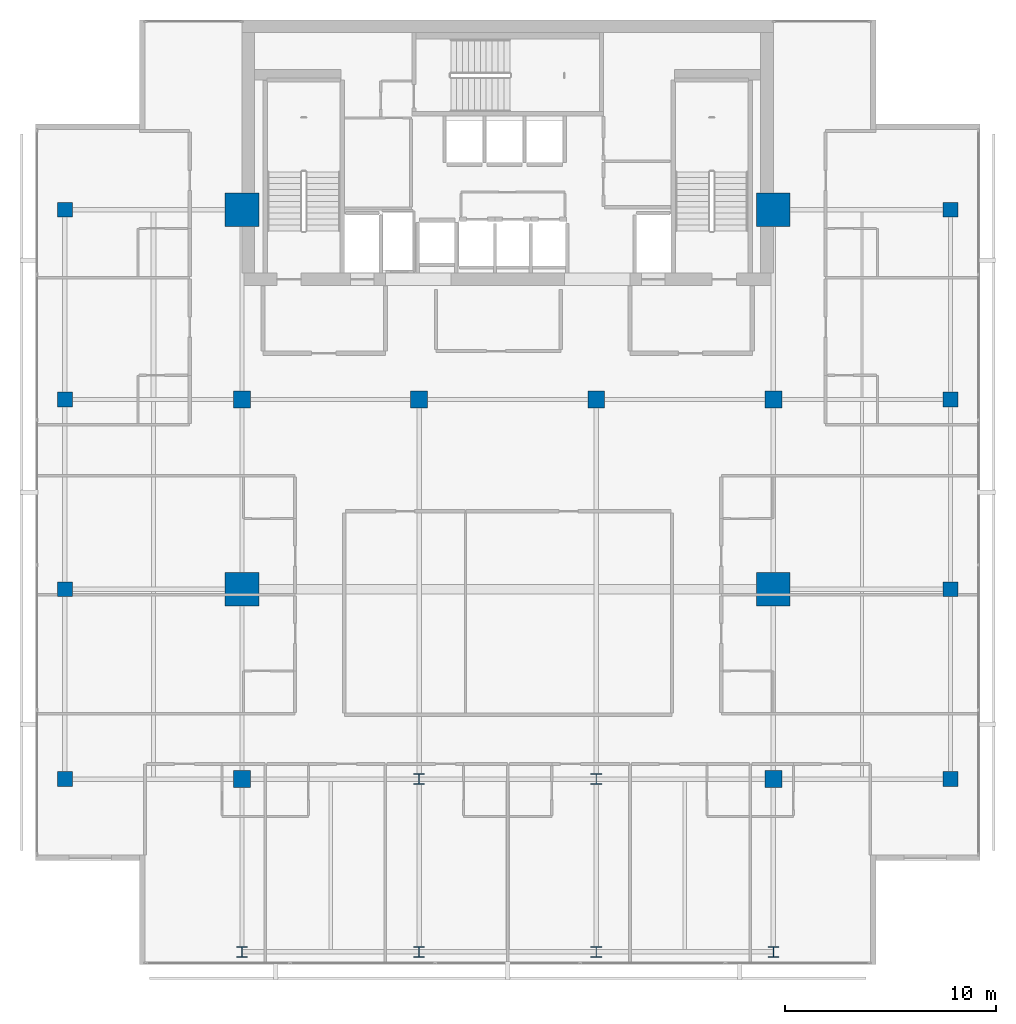
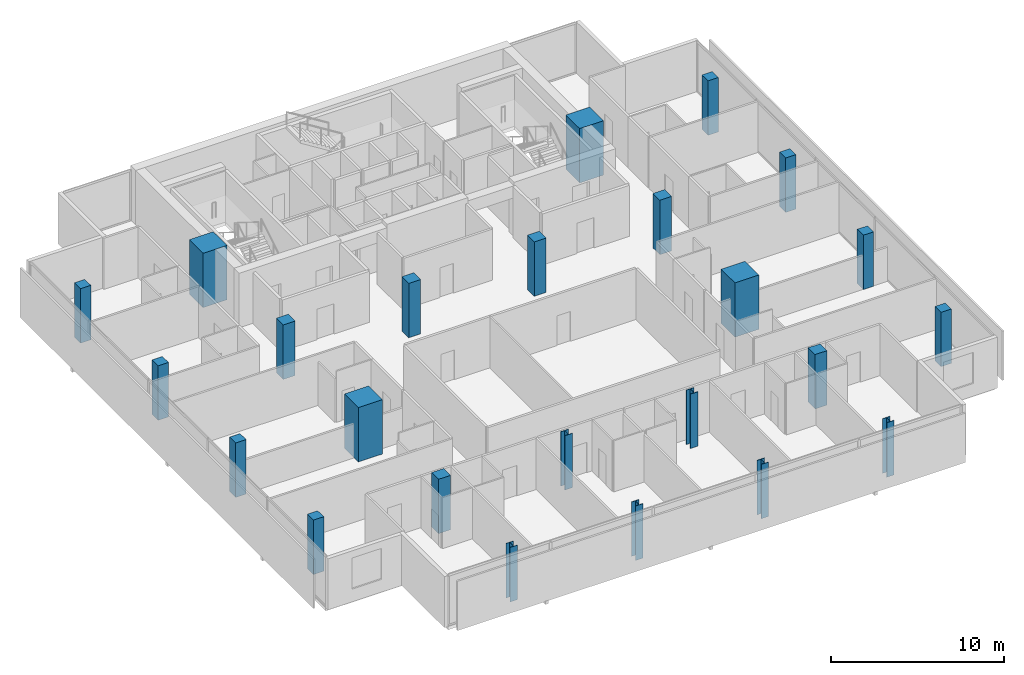
# One storey, part 1 of 25: 24 columns.
"""IFC4 building model written with IfcOpenShell, lengths in metres."""

from ifc_helpers import new_model, si_unit, direction, frame, origin, origin_2d, place, context, subcontext, project, spatial, rectangle, i_section, extrude, material, material_profile, profile_set, type_object, element, save


model = new_model("IFC4")

# Units and contexts
model_context = context("Model", 3, precision=1e-05, world=origin(), true_north=direction((0.0, 1.0)))
body_context = subcontext(model_context, "Body", "Model", "MODEL_VIEW")
ifc_project = project(units=[si_unit("LENGTHUNIT", "METRE"), si_unit("AREAUNIT", "SQUARE_METRE"), si_unit("VOLUMEUNIT", "CUBIC_METRE"), si_unit("PLANEANGLEUNIT", "RADIAN"), si_unit("MASSUNIT", "GRAM", prefix="KILO")], contexts=[model_context])

# Site, building, storey
site_placement = place(None, origin())
site = spatial("IfcSite", under=ifc_project, at=site_placement, CompositionType="ELEMENT")
building_placement = place(site_placement, origin())
building = spatial("IfcBuilding", under=site, at=building_placement, Name="Maruvema Waterfront Hotel and Observation Tower", CompositionType="ELEMENT")
storey_placement = place(building_placement, frame((0.0, 0.0, 247.10009765625)))
storey = spatial("IfcBuildingStorey", under=building, at=storey_placement, Name="L60", CompositionType="ELEMENT", Elevation=247.10009765625)

# Columns
ifc_material_1 = material(Name="Concrete C70/85", Category="concrete")
ifc_material_profile_1 = material_profile(ifc_material_1, rectangle(XDim=1.60009765625, YDim=1.60009765625, at=origin_2d()), Name="MC1600x1600")
ifc_profile_set_1 = profile_set([ifc_material_profile_1], Name="Concrete C70/85")
column_type_1 = type_object("IfcColumnType", Name="Continuous Mega-Column MC1600x1600", PredefinedType="COLUMN", material=ifc_profile_set_1)
for number, where, z_axis, x_axis, name in (
    (1, (25.199951171875, 27.0, 0.0), (0.0, 0.0, 1.0), (1.0, 0.0, 0.0), "L60 Continuous Mega-Column MC-01"),
    (2, (50.39990234375, 27.0, 0.0), (0.0, 0.0, 1.0), (1.0, 0.0, 0.0), "L60 Continuous Mega-Column MC-02"),
    (3, (25.199951171875, 45.0, 0.0), (0.0, 0.0, 1.0), (1.0, 0.0, 0.0), "L60 Continuous Mega-Column MC-03"),
    (4, (50.39990234375, 45.0, 0.0), (0.0, 0.0, 1.0), (1.0, 0.0, 0.0), "L60 Continuous Mega-Column MC-04"),
):
    element("IfcColumn", number, at=place(storey_placement, frame(where, z_axis=z_axis, x_axis=x_axis)), inside=storey, type_object=column_type_1, Name=name, PredefinedType="COLUMN", context=body_context, shape_type="SweptSolid", body=[
        extrude(rectangle(XDim=1.60009765625, YDim=1.60009765625, at=origin_2d()), origin(), (0.0, 0.0, 1.0), 3.849853515625),
    ])
ifc_material_2 = material(Name="Concrete C60/75", Category="concrete")
ifc_material_profile_2 = material_profile(ifc_material_2, rectangle(XDim=0.699951171875, YDim=0.699951171875, at=origin_2d()), Name="RC700x700")
ifc_profile_set_2 = profile_set([ifc_material_profile_2], Name="Concrete C60/75")
column_type_2 = type_object("IfcColumnType", Name="Reinforced Concrete Column RC700x700", PredefinedType="COLUMN", material=ifc_profile_set_2)
for number, where, z_axis, x_axis, name in (
    (5, (16.800048828125, 18.0, 0.0), (0.0, 0.0, 1.0), (1.0, 0.0, 0.0), "L60 Column C-3Y18"),
    (6, (58.800048828125, 18.0, 0.0), (0.0, 0.0, 1.0), (1.0, 0.0, 0.0), "L60 Column C-8Y18"),
    (7, (16.800048828125, 27.0, 0.0), (0.0, 0.0, 1.0), (1.0, 0.0, 0.0), "L60 Column C-3Y27"),
    (8, (58.800048828125, 27.0, 0.0), (0.0, 0.0, 1.0), (1.0, 0.0, 0.0), "L60 Column C-8Y27"),
    (9, (16.800048828125, 36.0, 0.0), (0.0, 0.0, 1.0), (1.0, 0.0, 0.0), "L60 Column C-3Y36"),
    (10, (58.800048828125, 36.0, 0.0), (0.0, 0.0, 1.0), (1.0, 0.0, 0.0), "L60 Column C-8Y36"),
    (11, (16.800048828125, 45.0, 0.0), (0.0, 0.0, 1.0), (1.0, 0.0, 0.0), "L60 Column C-3Y45"),
    (12, (58.800048828125, 45.0, 0.0), (0.0, 0.0, 1.0), (1.0, 0.0, 0.0), "L60 Column C-8Y45"),
):
    element("IfcColumn", number, at=place(storey_placement, frame(where, z_axis=z_axis, x_axis=x_axis)), inside=storey, type_object=column_type_2, Name=name, PredefinedType="COLUMN", context=body_context, shape_type="SweptSolid", body=[
        extrude(rectangle(XDim=0.699951171875, YDim=0.699951171875, at=origin_2d()), origin(), (0.0, 0.0, 1.0), 3.849853515625),
    ])
ifc_material_3 = material(Name="Concrete C60/75", Category="concrete")
ifc_material_profile_3 = material_profile(ifc_material_3, rectangle(XDim=0.800048828125, YDim=0.800048828125, at=origin_2d()), Name="RC800x800")
ifc_profile_set_3 = profile_set([ifc_material_profile_3], Name="Concrete C60/75")
column_type_3 = type_object("IfcColumnType", Name="Reinforced Concrete Column RC800x800", PredefinedType="COLUMN", material=ifc_profile_set_3)
for number, where, z_axis, x_axis, name in (
    (13, (25.199951171875, 36.0, 0.0), (0.0, 0.0, 1.0), (1.0, 0.0, 0.0), "L60 Column C-4E"),
    (14, (33.60009765625, 36.0, 0.0), (0.0, 0.0, 1.0), (1.0, 0.0, 0.0), "L60 Column C-5E"),
    (15, (42.0, 36.0, 0.0), (0.0, 0.0, 1.0), (1.0, 0.0, 0.0), "L60 Column C-6E"),
    (16, (50.39990234375, 36.0, 0.0), (0.0, 0.0, 1.0), (1.0, 0.0, 0.0), "L60 Column C-7E"),
    (17, (25.199951171875, 18.0, 0.0), (0.0, 0.0, 1.0), (1.0, 0.0, 0.0), "L60 Column C-4C"),
    (18, (50.39990234375, 18.0, 0.0), (0.0, 0.0, 1.0), (1.0, 0.0, 0.0), "L60 Column C-7C"),
):
    element("IfcColumn", number, at=place(storey_placement, frame(where, z_axis=z_axis, x_axis=x_axis)), inside=storey, type_object=column_type_3, Name=name, PredefinedType="COLUMN", context=body_context, shape_type="SweptSolid", body=[
        extrude(rectangle(XDim=0.800048828125, YDim=0.800048828125, at=origin_2d()), origin(), (0.0, 0.0, 1.0), 3.849853515625),
    ])
ifc_material_4 = material(Name="Steel ABNT NBR 7007 AR 415 (ASTM A572 Grade 50)", Category="steel")
ifc_material_profile_4 = material_profile(ifc_material_4, i_section(OverallWidth=0.5, OverallDepth=0.5, WebThickness=0.02197265625, FlangeThickness=0.031982421875, at=origin_2d()), Name="CVS500x223")
ifc_profile_set_4 = profile_set([ifc_material_profile_4], Name="Steel ABNT NBR 7007 AR 415 (ASTM A572 Grade 50)")
column_type_4 = type_object("IfcColumnType", Name="Structural Steel Column CVS500x223", PredefinedType="COLUMN", material=ifc_profile_set_4)
for number, where, z_axis, x_axis, name in (
    (19, (33.60009765625, 18.0, 0.0), (0.0, 0.0, 1.0), (1.0, 0.0, 0.0), "L60 Column C-5C"),
    (20, (42.0, 18.0, 0.0), (0.0, 0.0, 1.0), (1.0, 0.0, 0.0), "L60 Column C-6C"),
    (21, (25.199951171875, 9.800048828125, 0.0), (0.0, 0.0, 1.0), (1.0, 0.0, 0.0), "L60 Column C-Z3S4"),
    (22, (33.60009765625, 9.800048828125, 0.0), (0.0, 0.0, 1.0), (1.0, 0.0, 0.0), "L60 Column C-Z3S5"),
    (23, (42.0, 9.800048828125, 0.0), (0.0, 0.0, 1.0), (1.0, 0.0, 0.0), "L60 Column C-Z3S6"),
    (24, (50.39990234375, 9.800048828125, 0.0), (0.0, 0.0, 1.0), (1.0, 0.0, 0.0), "L60 Column C-Z3S7"),
):
    element("IfcColumn", number, at=place(storey_placement, frame(where, z_axis=z_axis, x_axis=x_axis)), inside=storey, type_object=column_type_4, Name=name, PredefinedType="COLUMN", context=body_context, shape_type="SweptSolid", body=[
        extrude(i_section(OverallWidth=0.5, OverallDepth=0.5, WebThickness=0.02197265625, FlangeThickness=0.031982421875, at=origin_2d()), origin(), (0.0, 0.0, 1.0), 3.849853515625),
    ])

save(model, "model.ifc")
